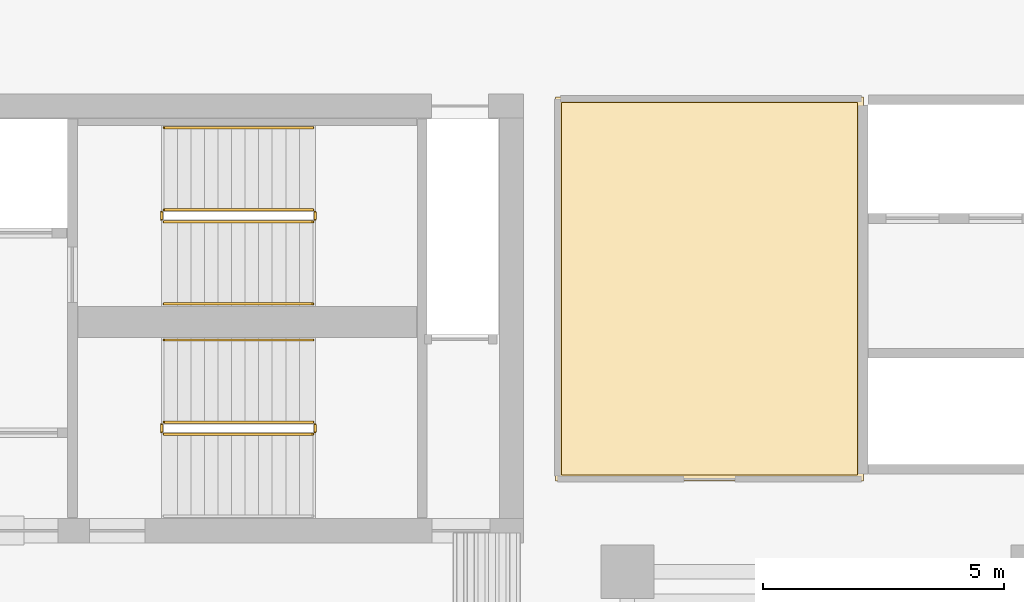
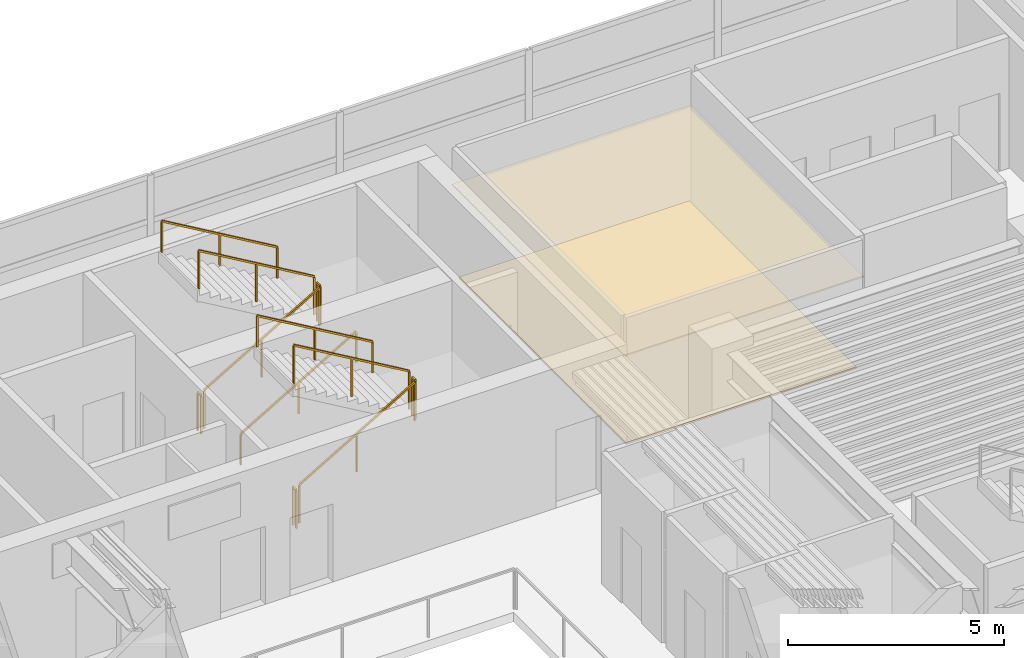
# One storey, part 12 of 12: 11 railings, 2 coverings.
"""IFC4 building model written with IfcOpenShell, lengths in metres."""

from ifc_helpers import new_model, si_unit, direction, frame, origin, origin_2d, place, context, subcontext, project, spatial, polyline, rectangle, outline, extrude, material, layer, layer_set, type_object, element, save


model = new_model("IFC4")

# Units and contexts
model_context = context("Model", 3, precision=1e-05, world=origin(), true_north=direction((0.0, 1.0)))
body_context = subcontext(model_context, "Body", "Model", "MODEL_VIEW")
ifc_project = project(units=[si_unit("LENGTHUNIT", "METRE"), si_unit("AREAUNIT", "SQUARE_METRE"), si_unit("VOLUMEUNIT", "CUBIC_METRE"), si_unit("PLANEANGLEUNIT", "RADIAN"), si_unit("MASSUNIT", "GRAM", prefix="KILO")], contexts=[model_context])

# Site, building, storey
site_placement = place(None, origin())
site = spatial("IfcSite", under=ifc_project, at=site_placement, CompositionType="ELEMENT")
building_placement = place(site_placement, origin())
building = spatial("IfcBuilding", under=site, at=building_placement, Name="Caeloran Harvest Quay", CompositionType="ELEMENT")
storey_placement = place(building_placement, frame((0.0, 0.0, 119.300048828125)))
storey = spatial("IfcBuildingStorey", under=building, at=storey_placement, Name="L27", CompositionType="ELEMENT", Elevation=119.300048828125)

# Coverings
ifc_material_1 = material(Name="Perforated Mineral-Fibre Acoustic Ceiling Tile", Category="ceiling")
ifc_layer_1 = layer(ifc_material_1, 0.0400390625, Name="Perforated Mineral-Fibre Acoustic Ceiling Tile")
ifc_layer_set_1 = layer_set([ifc_layer_1], Name="Perforated Mineral-Fibre Acoustic Ceiling Tile")
covering_type_1 = type_object("IfcCoveringType", Name="COV-CEILING-ACOUSTIC", PredefinedType="CEILING", material=ifc_layer_set_1)
covering_1_placement = place(storey_placement, frame((0.0, 0.0, 2.599853515625)))
element("IfcCovering", 1, at=covering_1_placement, inside=storey, type_object=covering_type_1, Name="L27 Bioinformatics and Crop Phenotyping Laboratory Acoustic Ceiling", PredefinedType="CEILING", context=body_context, shape_type="SweptSolid", body=[
    extrude(outline(polyline([(30.389892578125, 40.840087890625), (30.389892578125, 32.8798828125), (24.010009765625, 32.8798828125), (24.010009765625, 40.840087890625), (30.389892578125, 40.840087890625)])), origin(), (0.0, 0.0, 1.0), 0.0400390625),
])
ifc_material_2 = material(Name="Calcium-Sulphate Raised Access Floor and Terrazzo Finish", Category="flooring")
ifc_layer_2 = layer(ifc_material_2, 0.050048828125, Name="Calcium-Sulphate Raised Access Floor and Terrazzo Finish")
ifc_layer_set_2 = layer_set([ifc_layer_2], Name="Calcium-Sulphate Raised Access Floor and Terrazzo Finish")
covering_type_2 = type_object("IfcCoveringType", Name="COV-FLOOR-RAISED", PredefinedType="FLOORING", material=ifc_layer_set_2)
covering_2_placement = place(storey_placement, origin())
element("IfcCovering", 2, at=covering_2_placement, inside=storey, type_object=covering_type_2, Name="L27 Bioinformatics and Crop Phenotyping Laboratory Raised Finish Flooring", PredefinedType="FLOORING", context=body_context, shape_type="SweptSolid", body=[
    extrude(outline(polyline([(30.27001953125, 40.719970703125), (30.27001953125, 33.0), (24.1298828125, 33.0), (24.1298828125, 40.719970703125), (30.27001953125, 40.719970703125)])), origin(), (0.0, 0.0, 1.0), 0.050048828125),
])

# Railings
ifc_material_3 = material(Name="Painted Steel Baluster and Top-Rail Stair Guard", Category="steel")
ifc_layer_3 = layer(ifc_material_3, 0.050048828125, Name="Painted Steel Baluster and Top-Rail Stair Guard")
ifc_layer_set_3 = layer_set([ifc_layer_3], Name="Painted Steel Baluster and Top-Rail Stair Guard")
railing_type_1 = type_object("IfcRailingType", Name="STAIR-GUARD-1100", PredefinedType="GUARDRAIL", material=ifc_layer_set_3)
railing_1_placement = place(storey_placement, frame((15.89990234375, 38.25, 0.16455078125)))
element("IfcRailing", 3, at=railing_1_placement, inside=storey, type_object=railing_type_1, Name="L27 ST-C1 stair guard 1", PredefinedType="GUARDRAIL", context=body_context, shape_type="SweptSolid", body=[
    extrude(rectangle(XDim=0.048095703125, YDim=0.048095703125, at=origin_2d()), frame((0.0, 0.0, 1.076171875), z_axis=(0.862118610829, 0.0, 0.506706523406), x_axis=(0.0, 1.0, 0.0)), (0.0, 0.0, 1.0), 3.57275390625),
    extrude(rectangle(XDim=0.0419921875, YDim=0.0419921875, at=origin_2d()), origin(), (0.0, 0.0, 1.0), 1.052001953125),
    extrude(rectangle(XDim=0.0419921875, YDim=0.0419921875, at=origin_2d()), frame((1.5400390625, 0.0, 0.9052734375)), (0.0, 0.0, 1.0), 1.052001953125),
    extrude(rectangle(XDim=0.0419921875, YDim=0.0419921875, at=origin_2d()), frame((3.080078125, 0.0, 1.810302734375)), (0.0, 0.0, 1.0), 1.052001953125),
])
railing_2_placement = place(storey_placement, frame((19.030029296875, 38.300048828125, 1.974853515625)))
element("IfcRailing", 4, at=railing_2_placement, inside=storey, type_object=railing_type_1, Name="L27 ST-C1 stair guard 2", PredefinedType="GUARDRAIL", context=body_context, shape_type="SweptSolid", body=[
    extrude(rectangle(XDim=0.048095703125, YDim=0.048095703125, at=origin_2d()), frame((0.0, 0.0, 1.076171875), z_axis=(0.0, 1.0, 0.0), x_axis=(-1.0, 0.0, 0.0)), (0.0, 0.0, 1.0), 0.14990234375),
    extrude(rectangle(XDim=0.0419921875, YDim=0.0419921875, at=origin_2d()), origin(), (0.0, 0.0, 1.0), 1.052001953125),
    extrude(rectangle(XDim=0.0419921875, YDim=0.0419921875, at=origin_2d()), frame((0.0, 0.14990234375, 0.0)), (0.0, 0.0, 1.0), 1.052001953125),
])
railing_3_placement = place(storey_placement, frame((18.97998046875, 38.5, 2.1396484375)))
element("IfcRailing", 5, at=railing_3_placement, inside=storey, type_object=railing_type_1, Name="L27 ST-C1 stair guard 3", PredefinedType="GUARDRAIL", context=body_context, shape_type="SweptSolid", body=[
    extrude(rectangle(XDim=0.048095703125, YDim=0.048095703125, at=origin_2d()), frame((0.0, 0.0, 1.076171875), z_axis=(-0.862118610829, 0.0, 0.506706523406), x_axis=(0.0, -1.0, 0.0)), (0.0, 0.0, 1.0), 3.57275390625),
    extrude(rectangle(XDim=0.0419921875, YDim=0.0419921875, at=origin_2d()), origin(), (0.0, 0.0, 1.0), 1.052001953125),
    extrude(rectangle(XDim=0.0419921875, YDim=0.0419921875, at=origin_2d()), frame((-1.5400390625, 0.0, 0.9052734375)), (0.0, 0.0, 1.0), 1.052001953125),
    extrude(rectangle(XDim=0.0419921875, YDim=0.0419921875, at=origin_2d()), frame((-3.080078125, 0.0, 1.810302734375)), (0.0, 0.0, 1.0), 1.052001953125),
])
railing_4_placement = place(storey_placement, frame((15.85009765625, 38.300048828125, 0.0)))
element("IfcRailing", 6, at=railing_4_placement, inside=storey, type_object=railing_type_1, Name="L27 ST-C1 stair guard 4", PredefinedType="GUARDRAIL", context=body_context, shape_type="SweptSolid", body=[
    extrude(rectangle(XDim=0.048095703125, YDim=0.048095703125, at=origin_2d()), frame((0.0, 0.0, 1.076171875), z_axis=(0.0, 1.0, 0.0), x_axis=(-1.0, 0.0, 0.0)), (0.0, 0.0, 1.0), 0.14990234375),
    extrude(rectangle(XDim=0.0419921875, YDim=0.0419921875, at=origin_2d()), origin(), (0.0, 0.0, 1.0), 1.052001953125),
    extrude(rectangle(XDim=0.0419921875, YDim=0.0419921875, at=origin_2d()), frame((0.0, 0.14990234375, 0.0)), (0.0, 0.0, 1.0), 1.052001953125),
])
railing_5_placement = place(storey_placement, frame((15.89990234375, 33.85009765625, 0.16455078125)))
element("IfcRailing", 7, at=railing_5_placement, inside=storey, type_object=railing_type_1, Name="L27 ST-C2 stair guard 1", PredefinedType="GUARDRAIL", context=body_context, shape_type="SweptSolid", body=[
    extrude(rectangle(XDim=0.048095703125, YDim=0.048095703125, at=origin_2d()), frame((0.0, 0.0, 1.076171875), z_axis=(0.862118610829, 0.0, 0.506706523406), x_axis=(0.0, 1.0, 0.0)), (0.0, 0.0, 1.0), 3.57275390625),
    extrude(rectangle(XDim=0.0419921875, YDim=0.0419921875, at=origin_2d()), origin(), (0.0, 0.0, 1.0), 1.052001953125),
    extrude(rectangle(XDim=0.0419921875, YDim=0.0419921875, at=origin_2d()), frame((1.5400390625, 0.0, 0.9052734375)), (0.0, 0.0, 1.0), 1.052001953125),
    extrude(rectangle(XDim=0.0419921875, YDim=0.0419921875, at=origin_2d()), frame((3.080078125, 0.0, 1.810302734375)), (0.0, 0.0, 1.0), 1.052001953125),
])
railing_6_placement = place(storey_placement, frame((19.030029296875, 33.89990234375, 1.974853515625)))
element("IfcRailing", 8, at=railing_6_placement, inside=storey, type_object=railing_type_1, Name="L27 ST-C2 stair guard 2", PredefinedType="GUARDRAIL", context=body_context, shape_type="SweptSolid", body=[
    extrude(rectangle(XDim=0.048095703125, YDim=0.048095703125, at=origin_2d()), frame((0.0, 0.0, 1.076171875), z_axis=(0.0, 1.0, 0.0), x_axis=(-1.0, 0.0, 0.0)), (0.0, 0.0, 1.0), 0.150146484375),
    extrude(rectangle(XDim=0.0419921875, YDim=0.0419921875, at=origin_2d()), origin(), (0.0, 0.0, 1.0), 1.052001953125),
    extrude(rectangle(XDim=0.0419921875, YDim=0.0419921875, at=origin_2d()), frame((0.0, 0.150146484375, 0.0)), (0.0, 0.0, 1.0), 1.052001953125),
])
railing_7_placement = place(storey_placement, frame((18.97998046875, 34.10009765625, 2.1396484375)))
element("IfcRailing", 9, at=railing_7_placement, inside=storey, type_object=railing_type_1, Name="L27 ST-C2 stair guard 3", PredefinedType="GUARDRAIL", context=body_context, shape_type="SweptSolid", body=[
    extrude(rectangle(XDim=0.048095703125, YDim=0.048095703125, at=origin_2d()), frame((0.0, 0.0, 1.076171875), z_axis=(-0.862118610829, 0.0, 0.506706523406), x_axis=(0.0, -1.0, 0.0)), (0.0, 0.0, 1.0), 3.57275390625),
    extrude(rectangle(XDim=0.0419921875, YDim=0.0419921875, at=origin_2d()), origin(), (0.0, 0.0, 1.0), 1.052001953125),
    extrude(rectangle(XDim=0.0419921875, YDim=0.0419921875, at=origin_2d()), frame((-1.5400390625, 0.0, 0.9052734375)), (0.0, 0.0, 1.0), 1.052001953125),
    extrude(rectangle(XDim=0.0419921875, YDim=0.0419921875, at=origin_2d()), frame((-3.080078125, 0.0, 1.810302734375)), (0.0, 0.0, 1.0), 1.052001953125),
])
railing_8_placement = place(storey_placement, frame((15.85009765625, 33.89990234375, 0.0)))
element("IfcRailing", 10, at=railing_8_placement, inside=storey, type_object=railing_type_1, Name="L27 ST-C2 stair guard 4", PredefinedType="GUARDRAIL", context=body_context, shape_type="SweptSolid", body=[
    extrude(rectangle(XDim=0.048095703125, YDim=0.048095703125, at=origin_2d()), frame((0.0, 0.0, 1.076171875), z_axis=(0.0, 1.0, 0.0), x_axis=(-1.0, 0.0, 0.0)), (0.0, 0.0, 1.0), 0.150146484375),
    extrude(rectangle(XDim=0.0419921875, YDim=0.0419921875, at=origin_2d()), origin(), (0.0, 0.0, 1.0), 1.052001953125),
    extrude(rectangle(XDim=0.0419921875, YDim=0.0419921875, at=origin_2d()), frame((0.0, 0.150146484375, 0.0)), (0.0, 0.0, 1.0), 1.052001953125),
])
ifc_material_4 = material(Name="Brushed Stainless Steel Grade 304", Category="steel")
ifc_layer_4 = layer(ifc_material_4, 0.050048828125, Name="Brushed Stainless Steel Grade 304")
ifc_layer_set_4 = layer_set([ifc_layer_4], Name="Brushed Stainless Steel Grade 304")
railing_type_2 = type_object("IfcRailingType", Name="STAIR-HANDRAIL-900", PredefinedType="HANDRAIL", material=ifc_layer_set_4)
railing_9_placement = place(storey_placement, frame((15.89990234375, 36.550048828125, 0.16455078125)))
element("IfcRailing", 11, at=railing_9_placement, inside=storey, type_object=railing_type_2, Name="L27 ST-C1 stair handrail 1", PredefinedType="HANDRAIL", context=body_context, shape_type="SweptSolid", body=[
    extrude(rectangle(XDim=0.048095703125, YDim=0.048095703125, at=origin_2d()), frame((0.0, 0.0, 0.8759765625), z_axis=(0.862118610829, 0.0, 0.506706523406), x_axis=(0.0, 1.0, 0.0)), (0.0, 0.0, 1.0), 3.57275390625),
    extrude(rectangle(XDim=0.0419921875, YDim=0.0419921875, at=origin_2d()), origin(), (0.0, 0.0, 1.0), 0.851806640625),
    extrude(rectangle(XDim=0.0419921875, YDim=0.0419921875, at=origin_2d()), frame((1.5400390625, 0.0, 0.9052734375)), (0.0, 0.0, 1.0), 0.851806640625),
    extrude(rectangle(XDim=0.0419921875, YDim=0.0419921875, at=origin_2d()), frame((3.080078125, 0.0, 1.810302734375)), (0.0, 0.0, 1.0), 0.851806640625),
])
for number, where, name in (
    (12, (18.97998046875, 40.199951171875, 2.1396484375), "L27 ST-C1 stair handrail 2"),
    (13, (18.97998046875, 35.800048828125, 2.1396484375), "L27 ST-C2 stair handrail 2"),
):
    element("IfcRailing", number, at=place(storey_placement, frame(where)), inside=storey, type_object=railing_type_2, Name=name, PredefinedType="HANDRAIL", context=body_context, shape_type="SweptSolid", body=[
        extrude(rectangle(XDim=0.048095703125, YDim=0.048095703125, at=origin_2d()), frame((0.0, 0.0, 0.8759765625), z_axis=(-0.862118610829, 0.0, 0.506706523406), x_axis=(0.0, -1.0, 0.0)), (0.0, 0.0, 1.0), 3.57275390625),
        extrude(rectangle(XDim=0.0419921875, YDim=0.0419921875, at=origin_2d()), origin(), (0.0, 0.0, 1.0), 0.851806640625),
        extrude(rectangle(XDim=0.0419921875, YDim=0.0419921875, at=origin_2d()), frame((-1.5400390625, 0.0, 0.9052734375)), (0.0, 0.0, 1.0), 0.851806640625),
        extrude(rectangle(XDim=0.0419921875, YDim=0.0419921875, at=origin_2d()), frame((-3.080078125, 0.0, 1.810302734375)), (0.0, 0.0, 1.0), 0.851806640625),
    ])

save(model, "model.ifc")
